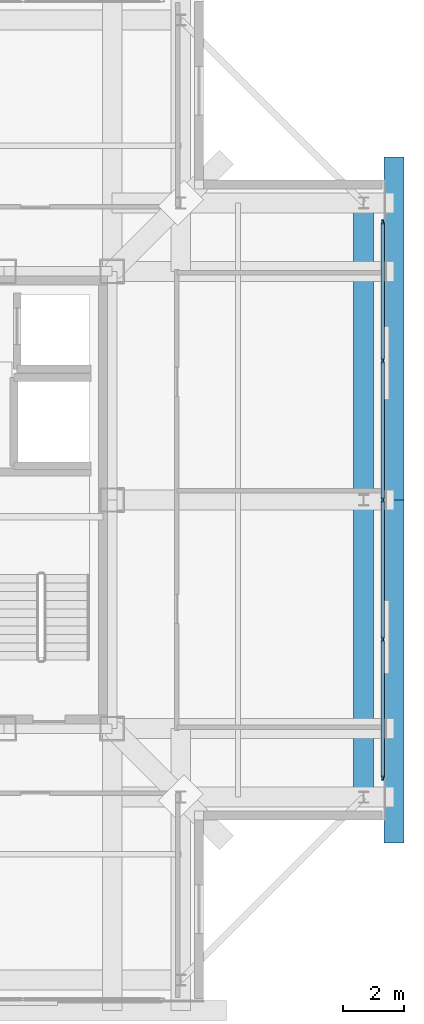
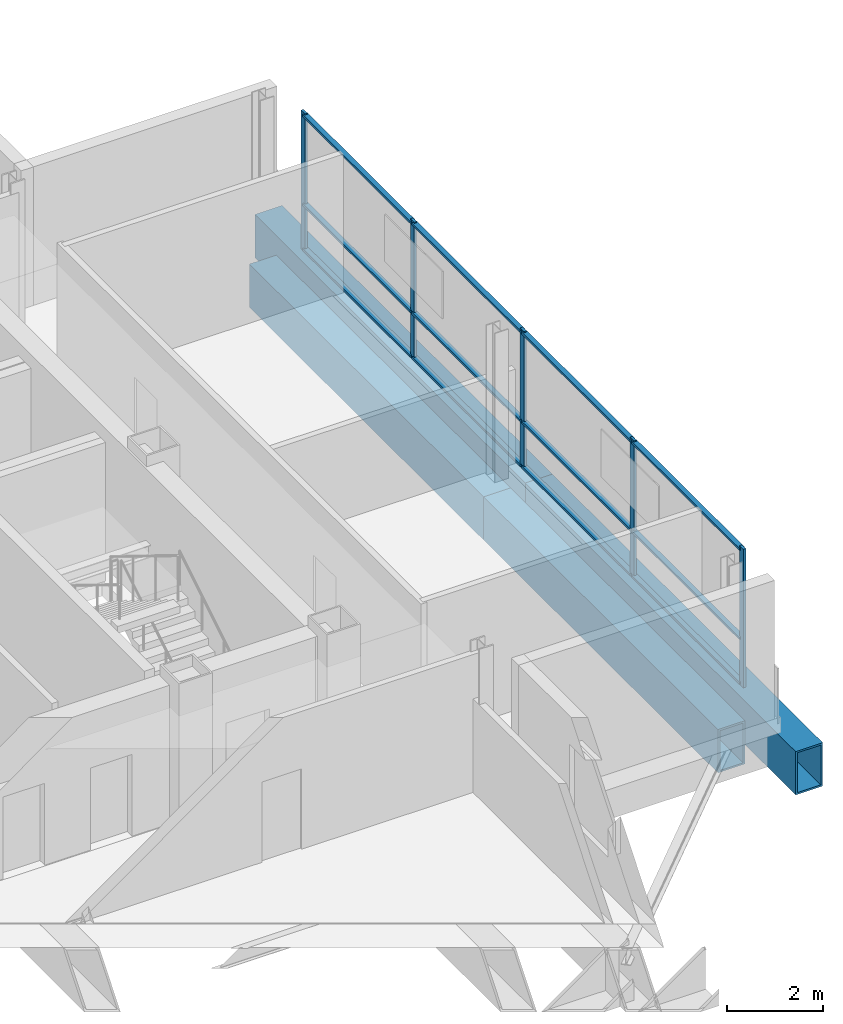
# One storey, part 6 of 12: 17 members, 4 beams, 1 element without a shape of its own.
"""IFC4 building model written with IfcOpenShell, lengths in metres."""

from ifc_helpers import new_model, si_unit, direction, frame, origin, origin_2d, place, context, subcontext, project, spatial, rectangle, hollow_rectangle, extrude, material, layer, layer_set, material_profile, profile_set, type_object, element, aggregate, save


model = new_model("IFC4")

# Units and contexts
model_context = context("Model", 3, precision=1e-05, world=origin(), true_north=direction((0.0, 1.0)))
body_context = subcontext(model_context, "Body", "Model", "MODEL_VIEW")
ifc_project = project(units=[si_unit("LENGTHUNIT", "METRE"), si_unit("AREAUNIT", "SQUARE_METRE"), si_unit("VOLUMEUNIT", "CUBIC_METRE"), si_unit("PLANEANGLEUNIT", "RADIAN"), si_unit("MASSUNIT", "GRAM", prefix="KILO")], contexts=[model_context])

# Site, building, storey
site_placement = place(None, origin())
site = spatial("IfcSite", under=ifc_project, at=site_placement, CompositionType="ELEMENT")
building_placement = place(site_placement, origin())
building = spatial("IfcBuilding", under=site, at=building_placement, Name="Trevonay Congress Spire", CompositionType="ELEMENT")
storey_placement = place(building_placement, frame((0.0, 0.0, 308.39990234375)))
storey = spatial("IfcBuildingStorey", under=building, at=storey_placement, Name="L81", CompositionType="ELEMENT", Elevation=308.39990234375)

# Beams
ifc_material_1 = material(Name="Steel ASTM A572 Grade 50", Category="steel")
ifc_material_profile_1 = material_profile(ifc_material_1, hollow_rectangle(XDim=0.64990234375, YDim=1.10009765625, WallThickness=0.044921875, at=origin_2d()), Name="BOX 1100x650x45")
ifc_profile_set_1 = profile_set([ifc_material_profile_1], Name="Steel ASTM A572 Grade 50")
beam_type = type_object("IfcBeamType", Name="BM-RING-BOX1100", PredefinedType="BEAM", material=ifc_profile_set_1)
for number, where, z_axis, x_axis, name in (
    (1, (15.75, -9.75, -0.949951171875), (0.0, 1.0, 0.0), (-1.0, 0.0, 0.0), "L81 structural beam BM-L81-PE1"),
    (2, (15.75, 0.0, -0.949951171875), (0.0, 1.0, 0.0), (-1.0, 0.0, 0.0), "L81 structural beam BM-L81-PE2"),
):
    element("IfcBeam", number, at=place(storey_placement, frame(where, z_axis=z_axis, x_axis=x_axis)), inside=storey, type_object=beam_type, Name=name, PredefinedType="BEAM", context=body_context, shape_type="SweptSolid", body=[
        extrude(hollow_rectangle(XDim=0.64990234375, YDim=1.10009765625, WallThickness=0.044921875, at=origin_2d()), origin(), (0.0, 0.0, 1.0), 9.75),
    ])
for number, where, z_axis, x_axis, name in (
    (3, (16.75, -11.25, -0.949951171875), (0.0, 1.0, 0.0), (-1.0, 0.0, 0.0), "L81 structural beam XOUT-L81-E0"),
    (4, (16.75, 0.0, -0.949951171875), (0.0, 1.0, 0.0), (-1.0, 0.0, 0.0), "L81 structural beam XOUT-L81-E1"),
):
    element("IfcBeam", number, at=place(storey_placement, frame(where, z_axis=z_axis, x_axis=x_axis)), inside=storey, type_object=beam_type, Name=name, PredefinedType="BEAM", context=body_context, shape_type="SweptSolid", body=[
        extrude(hollow_rectangle(XDim=0.64990234375, YDim=1.10009765625, WallThickness=0.044921875, at=origin_2d()), origin(), (0.0, 0.0, 1.0), 11.25),
    ])

# Curtain wall, members
ifc_material_2 = material(Name="Pale Anodised Aluminium EN AW-6063-T6", Category="aluminium")
ifc_layer = layer(ifc_material_2, 0.159912109375, Name="Pale Anodised Aluminium EN AW-6063-T6")
ifc_layer_set = layer_set([ifc_layer], Name="Pale Anodised Aluminium EN AW-6063-T6")
curtain_wall_type = type_object("IfcCurtainWallType", Name="CW-SYS06-CROWN-PALE-METAL", PredefinedType="NOTDEFINED", material=ifc_layer_set)
curtain_wall_placement = place(storey_placement, origin())
curtain_wall = element("IfcCurtainWall", 5, at=curtain_wall_placement, inside=storey, type_object=curtain_wall_type, Name="L81 E unitised curtain wall", PredefinedType="NOTDEFINED")
ifc_material_profile_2 = material_profile(ifc_material_2, rectangle(XDim=0.06005859375, YDim=0.159912109375, at=origin_2d()), Name="CW-MULLION-160-ALUMINIUM")
ifc_profile_set_2 = profile_set([ifc_material_profile_2], Name="Pale Anodised Aluminium EN AW-6063-T6")
member_type_1 = type_object("IfcMemberType", Name="CW-MULLION-160-ALUMINIUM", PredefinedType="MULLION", material=ifc_profile_set_2)
member_1_placement = place(storey_placement, frame((16.3798828125, -9.1201171875, 0.0), z_axis=(0.0, 0.0, 1.0), x_axis=(-1.0, 0.0, 0.0)))
member_1 = element("IfcMember", 6, at=member_1_placement, type_object=member_type_1, Name="CW06 mullion 1", PredefinedType="MULLION", context=body_context, shape_type="SweptSolid", body=[
    extrude(rectangle(XDim=0.06005859375, YDim=0.159912109375, at=origin_2d()), origin(), (0.0, 0.0, 1.0), 3.52001953125),
])
member_2_placement = place(storey_placement, frame((16.3798828125, -4.574951171875, 0.0), z_axis=(0.0, 0.0, 1.0), x_axis=(-1.0, 0.0, 0.0)))
member_2 = element("IfcMember", 7, at=member_2_placement, type_object=member_type_1, Name="CW06 mullion 2", PredefinedType="MULLION", context=body_context, shape_type="SweptSolid", body=[
    extrude(rectangle(XDim=0.06005859375, YDim=0.159912109375, at=origin_2d()), origin(), (0.0, 0.0, 1.0), 3.52001953125),
])
member_3_placement = place(storey_placement, frame((16.3798828125, 0.0, 0.0), z_axis=(0.0, 0.0, 1.0), x_axis=(-1.0, 0.0, 0.0)))
member_3 = element("IfcMember", 8, at=member_3_placement, type_object=member_type_1, Name="CW06 mullion 3", PredefinedType="MULLION", context=body_context, shape_type="SweptSolid", body=[
    extrude(rectangle(XDim=0.06005859375, YDim=0.159912109375, at=origin_2d()), origin(), (0.0, 0.0, 1.0), 3.52001953125),
])
member_4_placement = place(storey_placement, frame((16.3798828125, 4.574951171875, 0.0), z_axis=(0.0, 0.0, 1.0), x_axis=(-1.0, 0.0, 0.0)))
member_4 = element("IfcMember", 9, at=member_4_placement, type_object=member_type_1, Name="CW06 mullion 4", PredefinedType="MULLION", context=body_context, shape_type="SweptSolid", body=[
    extrude(rectangle(XDim=0.06005859375, YDim=0.159912109375, at=origin_2d()), origin(), (0.0, 0.0, 1.0), 3.52001953125),
])
member_5_placement = place(storey_placement, frame((16.3798828125, 9.1201171875, 0.0), z_axis=(0.0, 0.0, 1.0), x_axis=(-1.0, 0.0, 0.0)))
member_5 = element("IfcMember", 10, at=member_5_placement, type_object=member_type_1, Name="CW06 mullion 5", PredefinedType="MULLION", context=body_context, shape_type="SweptSolid", body=[
    extrude(rectangle(XDim=0.06005859375, YDim=0.159912109375, at=origin_2d()), origin(), (0.0, 0.0, 1.0), 3.52001953125),
])
ifc_material_profile_3 = material_profile(ifc_material_2, rectangle(XDim=0.1201171875, YDim=0.06005859375, at=origin_2d()), Name="CW-TRANSOM-120-ALUMINIUM")
ifc_profile_set_3 = profile_set([ifc_material_profile_3], Name="Pale Anodised Aluminium EN AW-6063-T6")
member_type_2 = type_object("IfcMemberType", Name="CW-TRANSOM-120-ALUMINIUM", PredefinedType="USERDEFINED", material=ifc_profile_set_3)
member_6_placement = place(storey_placement, frame((16.3798828125, -9.090087890625, 0.06005859375), z_axis=(0.0, 1.0, 0.0), x_axis=(-1.0, 0.0, 0.0)))
member_6 = element("IfcMember", 11, at=member_6_placement, type_object=member_type_2, Name="CW06 transom 1.1", ObjectType="TRANSOM", PredefinedType="USERDEFINED", context=body_context, shape_type="SweptSolid", body=[
    extrude(rectangle(XDim=0.1201171875, YDim=0.06005859375, at=origin_2d()), origin(), (0.0, 0.0, 1.0), 4.485107421875),
])
member_7_placement = place(storey_placement, frame((16.3798828125, -9.090087890625, 1.19677734375), z_axis=(0.0, 1.0, 0.0), x_axis=(-1.0, 0.0, 0.0)))
member_7 = element("IfcMember", 12, at=member_7_placement, type_object=member_type_2, Name="CW06 transom 1.2", ObjectType="TRANSOM", PredefinedType="USERDEFINED", context=body_context, shape_type="SweptSolid", body=[
    extrude(rectangle(XDim=0.1201171875, YDim=0.06005859375, at=origin_2d()), origin(), (0.0, 0.0, 1.0), 4.485107421875),
])
member_8_placement = place(storey_placement, frame((16.3798828125, -9.090087890625, 3.460205078125), z_axis=(0.0, 1.0, 0.0), x_axis=(-1.0, 0.0, 0.0)))
member_8 = element("IfcMember", 13, at=member_8_placement, type_object=member_type_2, Name="CW06 transom 1.3", ObjectType="TRANSOM", PredefinedType="USERDEFINED", context=body_context, shape_type="SweptSolid", body=[
    extrude(rectangle(XDim=0.1201171875, YDim=0.06005859375, at=origin_2d()), origin(), (0.0, 0.0, 1.0), 4.485107421875),
])
member_9_placement = place(storey_placement, frame((16.3798828125, -4.544921875, 0.06005859375), z_axis=(0.0, 1.0, 0.0), x_axis=(-1.0, 0.0, 0.0)))
member_9 = element("IfcMember", 14, at=member_9_placement, type_object=member_type_2, Name="CW06 transom 2.1", ObjectType="TRANSOM", PredefinedType="USERDEFINED", context=body_context, shape_type="SweptSolid", body=[
    extrude(rectangle(XDim=0.1201171875, YDim=0.06005859375, at=origin_2d()), origin(), (0.0, 0.0, 1.0), 4.514892578125),
])
member_10_placement = place(storey_placement, frame((16.3798828125, -4.544921875, 1.19677734375), z_axis=(0.0, 1.0, 0.0), x_axis=(-1.0, 0.0, 0.0)))
member_10 = element("IfcMember", 15, at=member_10_placement, type_object=member_type_2, Name="CW06 transom 2.2", ObjectType="TRANSOM", PredefinedType="USERDEFINED", context=body_context, shape_type="SweptSolid", body=[
    extrude(rectangle(XDim=0.1201171875, YDim=0.06005859375, at=origin_2d()), origin(), (0.0, 0.0, 1.0), 4.514892578125),
])
member_11_placement = place(storey_placement, frame((16.3798828125, -4.544921875, 3.460205078125), z_axis=(0.0, 1.0, 0.0), x_axis=(-1.0, 0.0, 0.0)))
member_11 = element("IfcMember", 16, at=member_11_placement, type_object=member_type_2, Name="CW06 transom 2.3", ObjectType="TRANSOM", PredefinedType="USERDEFINED", context=body_context, shape_type="SweptSolid", body=[
    extrude(rectangle(XDim=0.1201171875, YDim=0.06005859375, at=origin_2d()), origin(), (0.0, 0.0, 1.0), 4.514892578125),
])
member_12_placement = place(storey_placement, frame((16.3798828125, 0.030029296875, 0.06005859375), z_axis=(0.0, 1.0, 0.0), x_axis=(-1.0, 0.0, 0.0)))
member_12 = element("IfcMember", 17, at=member_12_placement, type_object=member_type_2, Name="CW06 transom 3.1", ObjectType="TRANSOM", PredefinedType="USERDEFINED", context=body_context, shape_type="SweptSolid", body=[
    extrude(rectangle(XDim=0.1201171875, YDim=0.06005859375, at=origin_2d()), origin(), (0.0, 0.0, 1.0), 4.514892578125),
])
member_13_placement = place(storey_placement, frame((16.3798828125, 0.030029296875, 1.19677734375), z_axis=(0.0, 1.0, 0.0), x_axis=(-1.0, 0.0, 0.0)))
member_13 = element("IfcMember", 18, at=member_13_placement, type_object=member_type_2, Name="CW06 transom 3.2", ObjectType="TRANSOM", PredefinedType="USERDEFINED", context=body_context, shape_type="SweptSolid", body=[
    extrude(rectangle(XDim=0.1201171875, YDim=0.06005859375, at=origin_2d()), origin(), (0.0, 0.0, 1.0), 4.514892578125),
])
member_14_placement = place(storey_placement, frame((16.3798828125, 0.030029296875, 3.460205078125), z_axis=(0.0, 1.0, 0.0), x_axis=(-1.0, 0.0, 0.0)))
member_14 = element("IfcMember", 19, at=member_14_placement, type_object=member_type_2, Name="CW06 transom 3.3", ObjectType="TRANSOM", PredefinedType="USERDEFINED", context=body_context, shape_type="SweptSolid", body=[
    extrude(rectangle(XDim=0.1201171875, YDim=0.06005859375, at=origin_2d()), origin(), (0.0, 0.0, 1.0), 4.514892578125),
])
member_15_placement = place(storey_placement, frame((16.3798828125, 4.60498046875, 0.06005859375), z_axis=(0.0, 1.0, 0.0), x_axis=(-1.0, 0.0, 0.0)))
member_15 = element("IfcMember", 20, at=member_15_placement, type_object=member_type_2, Name="CW06 transom 4.1", ObjectType="TRANSOM", PredefinedType="USERDEFINED", context=body_context, shape_type="SweptSolid", body=[
    extrude(rectangle(XDim=0.1201171875, YDim=0.06005859375, at=origin_2d()), origin(), (0.0, 0.0, 1.0), 4.485107421875),
])
member_16_placement = place(storey_placement, frame((16.3798828125, 4.60498046875, 1.19677734375), z_axis=(0.0, 1.0, 0.0), x_axis=(-1.0, 0.0, 0.0)))
member_16 = element("IfcMember", 21, at=member_16_placement, type_object=member_type_2, Name="CW06 transom 4.2", ObjectType="TRANSOM", PredefinedType="USERDEFINED", context=body_context, shape_type="SweptSolid", body=[
    extrude(rectangle(XDim=0.1201171875, YDim=0.06005859375, at=origin_2d()), origin(), (0.0, 0.0, 1.0), 4.485107421875),
])
member_17_placement = place(storey_placement, frame((16.3798828125, 4.60498046875, 3.460205078125), z_axis=(0.0, 1.0, 0.0), x_axis=(-1.0, 0.0, 0.0)))
member_17 = element("IfcMember", 22, at=member_17_placement, type_object=member_type_2, Name="CW06 transom 4.3", ObjectType="TRANSOM", PredefinedType="USERDEFINED", context=body_context, shape_type="SweptSolid", body=[
    extrude(rectangle(XDim=0.1201171875, YDim=0.06005859375, at=origin_2d()), origin(), (0.0, 0.0, 1.0), 4.485107421875),
])
aggregate(curtain_wall, [member_1, member_2, member_3, member_4, member_5, member_6, member_7, member_8, member_9, member_10, member_11, member_12, member_13, member_14, member_15, member_16, member_17])

save(model, "model.ifc")
